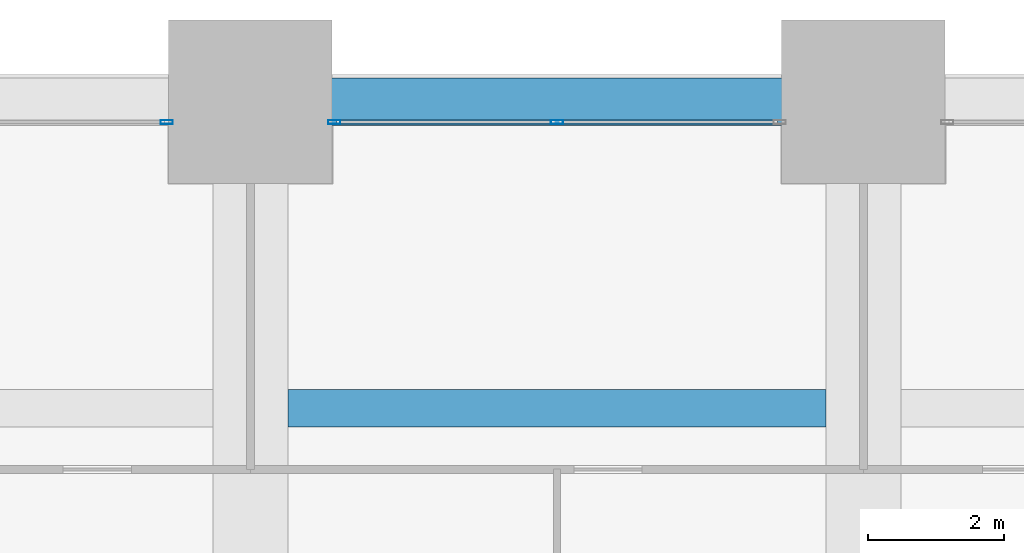
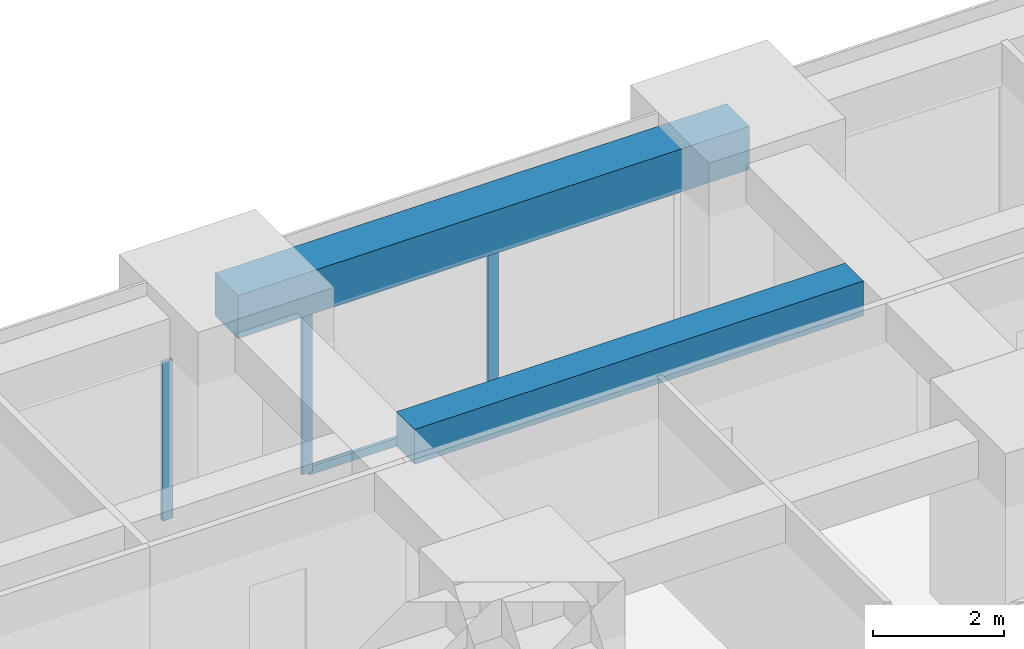
# One storey, part 30 of 45: 4 members, 2 beams, 2 elements without a shape of their own.
"""IFC4 building model written with IfcOpenShell, lengths in metres."""

from ifc_helpers import new_model, si_unit, direction, frame, origin, origin_2d, place, context, subcontext, project, spatial, rectangle, hollow_rectangle, extrude, material, material_profile, profile_set, type_object, element, aggregate, save


model = new_model("IFC4")

# Units and contexts
model_context = context("Model", 3, precision=1e-05, world=origin(), true_north=direction((0.0, 1.0)))
body_context = subcontext(model_context, "Body", "Model", "MODEL_VIEW")
ifc_project = project(units=[si_unit("LENGTHUNIT", "METRE"), si_unit("AREAUNIT", "SQUARE_METRE"), si_unit("VOLUMEUNIT", "CUBIC_METRE"), si_unit("PLANEANGLEUNIT", "RADIAN"), si_unit("MASSUNIT", "GRAM", prefix="KILO")], contexts=[model_context])

# Site, building, storey
site_placement = place(None, origin())
site = spatial("IfcSite", under=ifc_project, at=site_placement, CompositionType="ELEMENT")
building_placement = place(site_placement, origin())
building = spatial("IfcBuilding", under=site, at=building_placement, Name="Zorevar Civic Tower", CompositionType="ELEMENT")
storey_placement = place(building_placement, frame((0.0, 0.0, 47.800048828125)))
storey = spatial("IfcBuildingStorey", under=building, at=storey_placement, Name="L11", CompositionType="ELEMENT", Elevation=47.800048828125)

# Beam
ifc_material_1 = material(Name="Concrete C50/60", Category="concrete")
ifc_material_profile_1 = material_profile(ifc_material_1, rectangle(XDim=0.550048828125, YDim=0.64990234375, at=origin_2d()), Name="RC 550x650")
ifc_profile_set_1 = profile_set([ifc_material_profile_1], Name="Concrete C50/60")
beam_type_1 = type_object("IfcBeamType", Name="Beam RC 550x650", PredefinedType="BEAM", material=ifc_profile_set_1)
beam_1_placement = place(storey_placement, frame((27.550048828125, 49.5, 3.425048828125), z_axis=(1.0, 0.0, 0.0), x_axis=(0.0, 1.0, 0.0)))
element("IfcBeam", 1, at=beam_1_placement, inside=storey, type_object=beam_type_1, Name="Secondary beam L12", PredefinedType="BEAM", context=body_context, shape_type="SweptSolid", body=[
    extrude(rectangle(XDim=0.550048828125, YDim=0.64990234375, at=origin_2d()), origin(), (0.0, 0.0, 1.0), 7.89990234375),
])

# Curtain wall, member
ifc_material_2 = material(Name="Dark grey solar-control glass in black aluminium frame", Category="aluminium")
curtain_wall_type = type_object("IfcCurtainWallType", Name="Curtain wall CW2 low zone", PredefinedType="NOTDEFINED", material=ifc_material_2)
curtain_wall_1_placement = place(storey_placement, origin())
curtain_wall_1 = element("IfcCurtainWall", 2, at=curtain_wall_1_placement, inside=storey, type_object=curtain_wall_type, Name="CW2 L11", PredefinedType="NOTDEFINED")
ifc_material_3 = material(Name="Aluminium, black anodised", Category="aluminium")
ifc_material_profile_2 = material_profile(ifc_material_3, hollow_rectangle(XDim=0.06005859375, YDim=0.179931640625, WallThickness=0.00390625, at=origin_2d()), Name="AL 180x60x4")
ifc_profile_set_2 = profile_set([ifc_material_profile_2], Name="Aluminium, black anodised")
member_type_1 = type_object("IfcMemberType", Name="CW2 mullion AL 180x60x4", PredefinedType="MULLION", material=ifc_profile_set_2)
member_1_placement = place(storey_placement, frame((25.77001953125, 53.699951171875, 0.0), z_axis=(0.0, 0.0, 1.0), x_axis=(0.0, 1.0, 0.0)))
member_1 = element("IfcMember", 3, at=member_1_placement, type_object=member_type_1, Name="CW2 mullion 3", PredefinedType="MULLION", context=body_context, shape_type="SweptSolid", body=[
    extrude(hollow_rectangle(XDim=0.06005859375, YDim=0.179931640625, WallThickness=0.00390625, at=origin_2d()), origin(), (0.0, 0.0, 1.0), 2.949951171875),
])
aggregate(curtain_wall_1, [member_1])

# Curtain wall, members
curtain_wall_2_placement = place(storey_placement, origin())
curtain_wall_2 = element("IfcCurtainWall", 4, at=curtain_wall_2_placement, inside=storey, type_object=curtain_wall_type, Name="CW2 L11", PredefinedType="NOTDEFINED")
member_2_placement = place(storey_placement, frame((28.22998046875, 53.699951171875, 0.0), z_axis=(0.0, 0.0, 1.0), x_axis=(0.0, 1.0, 0.0)))
member_2 = element("IfcMember", 5, at=member_2_placement, type_object=member_type_1, Name="CW2 mullion 1", PredefinedType="MULLION", context=body_context, shape_type="SweptSolid", body=[
    extrude(hollow_rectangle(XDim=0.06005859375, YDim=0.179931640625, WallThickness=0.00390625, at=origin_2d()), origin(), (0.0, 0.0, 1.0), 2.949951171875),
])
member_3_placement = place(storey_placement, frame((31.5, 53.699951171875, 0.06005859375), z_axis=(0.0, 0.0, 1.0), x_axis=(0.0, 1.0, 0.0)))
member_3 = element("IfcMember", 6, at=member_3_placement, type_object=member_type_1, Name="CW2 mullion 2", PredefinedType="MULLION", context=body_context, shape_type="SweptSolid", body=[
    extrude(hollow_rectangle(XDim=0.06005859375, YDim=0.179931640625, WallThickness=0.00390625, at=origin_2d()), origin(), (0.0, 0.0, 1.0), 2.889892578125),
])
ifc_material_4 = material(Name="Aluminium, black anodised", Category="aluminium")
ifc_material_profile_3 = material_profile(ifc_material_4, hollow_rectangle(XDim=0.06005859375, YDim=0.14990234375, WallThickness=0.00390625, at=origin_2d()), Name="AL 150x60x4")
ifc_profile_set_3 = profile_set([ifc_material_profile_3], Name="Aluminium, black anodised")
member_type_2 = type_object("IfcMemberType", Name="CW2 transom AL 150x60x4", PredefinedType="USERDEFINED", material=ifc_profile_set_3)
member_4_placement = place(storey_placement, frame((28.260009765625, 53.699951171875, 0.030029296875), z_axis=(1.0, 0.0, 0.0), x_axis=(0.0, 1.0, 0.0)))
member_4 = element("IfcMember", 7, at=member_4_placement, type_object=member_type_2, Name="CW2 sill transom", ObjectType="TRANSOM", PredefinedType="USERDEFINED", context=body_context, shape_type="SweptSolid", body=[
    extrude(hollow_rectangle(XDim=0.06005859375, YDim=0.14990234375, WallThickness=0.00390625, at=origin_2d()), origin(), (0.0, 0.0, 1.0), 6.47998046875),
])
aggregate(curtain_wall_2, [member_2, member_3, member_4])

# Beam
ifc_material_5 = material(Name="Concrete C50/60", Category="concrete")
ifc_material_profile_4 = material_profile(ifc_material_5, rectangle(XDim=0.699951171875, YDim=0.800048828125, at=origin_2d()), Name="RC 700x800")
ifc_profile_set_4 = profile_set([ifc_material_profile_4], Name="Concrete C50/60")
beam_type_2 = type_object("IfcBeamType", Name="Edge beam RC 700x800", PredefinedType="SPANDREL", material=ifc_profile_set_4)
beam_2_placement = place(storey_placement, frame((27.0, 54.0, 3.349853515625), z_axis=(1.0, 0.0, 0.0), x_axis=(0.0, 1.0, 0.0)))
element("IfcBeam", 8, at=beam_2_placement, inside=storey, type_object=beam_type_2, Name="Edge beam L12", PredefinedType="SPANDREL", context=body_context, shape_type="SweptSolid", body=[
    extrude(rectangle(XDim=0.699951171875, YDim=0.800048828125, at=origin_2d()), origin(), (0.0, 0.0, 1.0), 9.0),
])

save(model, "model.ifc")
